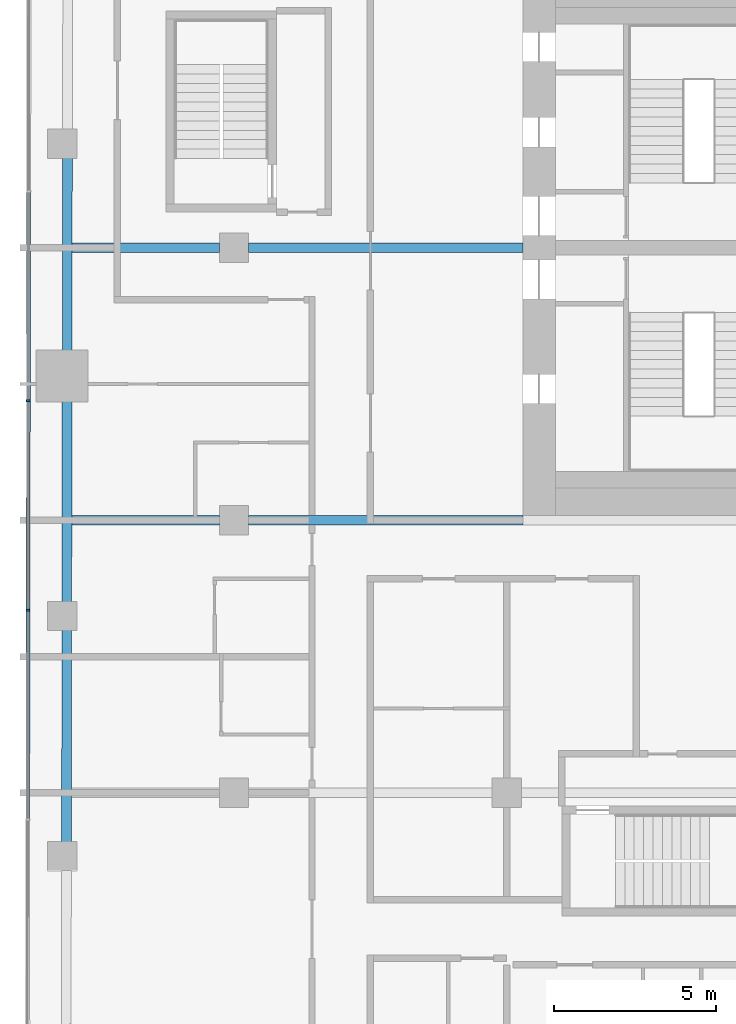
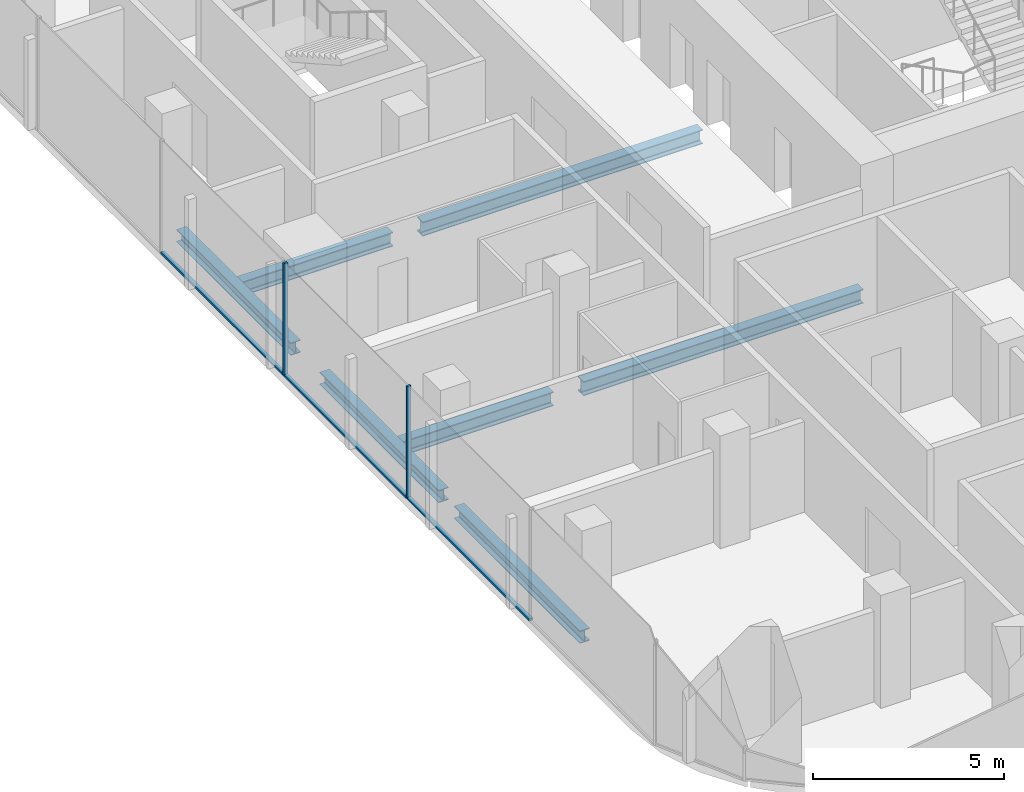
# One storey, part 4 of 23: 7 beams, 5 members, 1 element without a shape of its own.
"""IFC4 building model written with IfcOpenShell, lengths in metres."""

import ifcopenshell
import ifcopenshell.guid

model = None  # the IFC model being written
_history = None  # IfcOwnerHistory: only IFC2X3 demands one
_inside = {}  # id of a spatial element -> (the spatial element, [elements in it])
_under = {}  # id of a project, library or spatial element -> (it, [spatial elements below it])
_declared = {}  # id of a project -> (the project, [libraries it declares])
_typed = {}  # id of a type object -> (the type object, [elements of that type])
_made_of = {}  # id of a material, layer set ... -> (it, [elements and type objects made of it])


def new_model(schema):
    """Start an empty IFC model of exactly this schema.

    Asked for "IFC4X3", IfcOpenShell would pick the latest addendum, in which some entities
    have other attributes; the version numbers below select the first issue.
    IFC2X3 requires an IfcOwnerHistory on every rooted entity: one is made here for all.
    """
    global model, _history
    if schema == "IFC4X3":
        model = ifcopenshell.file(schema_version=(4, 3, 0, 0))
    else:
        model = ifcopenshell.file(schema=schema)
    _inside.clear()
    _under.clear()
    _declared.clear()
    _typed.clear()
    _made_of.clear()
    _history = None
    if model.schema == "IFC2X3":
        org = make("IfcOrganization", Name="unknown")
        user = make(
            "IfcPersonAndOrganization",
            ThePerson=make("IfcPerson", FamilyName="unknown"),
            TheOrganization=org,
        )
        app = make(
            "IfcApplication",
            ApplicationDeveloper=org,
            Version="unknown",
            ApplicationFullName="unknown",
            ApplicationIdentifier="unknown",
        )
        _history = make(
            "IfcOwnerHistory",
            OwningUser=user,
            OwningApplication=app,
            ChangeAction="ADDED",
            CreationDate=0,
        )
    return model


def make(cls, **values):
    """One entity of the class cls with the attributes given. An attribute that is None is left unset."""
    return model.create_entity(
        cls, **{name: value for name, value in values.items() if value is not None}
    )


def rooted(cls, **values):
    """An entity with a GlobalId (a new one), such as an element, a storey or a relation."""
    return make(cls, GlobalId=ifcopenshell.guid.new(), OwnerHistory=_history, **values)


def si_unit(unit_type, name, prefix=None):
    """IfcSIUnit, for example si_unit("LENGTHUNIT", "METRE", prefix="MILLI")."""
    return make("IfcSIUnit", UnitType=unit_type, Prefix=prefix, Name=name)


def assignment(units):
    """IfcUnitAssignment: the units of a project."""
    return None if units is None else make("IfcUnitAssignment", Units=units)


def point(xyz):
    """IfcCartesianPoint."""
    return None if xyz is None else make("IfcCartesianPoint", Coordinates=xyz)


def direction(xyz):
    """IfcDirection."""
    return None if xyz is None else make("IfcDirection", DirectionRatios=xyz)


def frame(location, z_axis=None, x_axis=None):
    """IfcAxis2Placement3D, a coordinate frame: its origin and axes. An axis left out is left unset."""
    return make(
        "IfcAxis2Placement3D",
        Location=point(location),
        Axis=direction(z_axis),
        RefDirection=direction(x_axis),
    )


def frame_2d(location, x_axis=None):
    """IfcAxis2Placement2D, a coordinate frame in the plane: its origin and x axis."""
    return make(
        "IfcAxis2Placement2D", Location=point(location), RefDirection=direction(x_axis)
    )


def origin():
    """The frame at (0, 0, 0) with its axes left unset."""
    return frame((0.0, 0.0, 0.0))


def origin_2d():
    """The frame at (0, 0) in the plane with its x axis left unset."""
    return frame_2d((0.0, 0.0))


def place(relative_to, where):
    """IfcLocalPlacement: puts the frame where relative to a parent placement (None: the world)."""
    return make(
        "IfcLocalPlacement", PlacementRelTo=relative_to, RelativePlacement=where
    )


def context(
    kind, dimensions, precision=None, world=None, true_north=None, identifier=None
):
    """IfcGeometricRepresentationContext, for example the 3D "Model" context."""
    return make(
        "IfcGeometricRepresentationContext",
        ContextIdentifier=identifier,
        ContextType=kind,
        CoordinateSpaceDimension=dimensions,
        Precision=precision,
        WorldCoordinateSystem=world,
        TrueNorth=true_north,
    )


def subcontext(parent, identifier, kind, view, scale=None):
    """IfcGeometricRepresentationSubContext, for example "Body" below "Model"."""
    return make(
        "IfcGeometricRepresentationSubContext",
        ContextIdentifier=identifier,
        ContextType=kind,
        ParentContext=parent,
        TargetScale=scale,
        TargetView=view,
    )


def project(units=None, contexts=None):
    """IfcProject with its units and contexts."""
    return rooted(
        "IfcProject",
        Name="project",
        RepresentationContexts=contexts,
        UnitsInContext=assignment(units),
    )


def spatial(cls, under=None, at=None, **own):
    """A site, building, storey or space (cls), placed at a placement, below another one or the project."""
    s = rooted(cls, ObjectPlacement=at, **own)
    if under is not None:
        _under.setdefault(under.id(), (under, []))[1].append(s)
    return s


def profile(cls, at=None, kind="AREA", **sizes):
    """A parametric profile (cls). Its sizes go by their IFC names, for example OverallWidth=200.0."""
    return make(cls, ProfileType=kind, Position=at, **sizes)


def rectangle(**sizes):
    """IfcRectangleProfileDef."""
    return profile("IfcRectangleProfileDef", **sizes)


def i_section(**sizes):
    """IfcIShapeProfileDef."""
    return profile("IfcIShapeProfileDef", **sizes)


def extrude(swept, where, along, depth):
    """IfcExtrudedAreaSolid: the profile swept, set in the frame where, extruded along a direction by depth."""
    return make(
        "IfcExtrudedAreaSolid",
        SweptArea=swept,
        Position=where,
        ExtrudedDirection=direction(along),
        Depth=depth,
    )


def shape(context_of_items, identifier, shape_type, items):
    """IfcShapeRepresentation: the items that make up one representation, for example the "Body"."""
    return make(
        "IfcShapeRepresentation",
        ContextOfItems=context_of_items,
        RepresentationIdentifier=identifier,
        RepresentationType=shape_type,
        Items=items,
    )


def material(Name=None, Category=None):
    """IfcMaterial."""
    return make("IfcMaterial", Name=Name, Category=Category)


def layer(
    of_material, thickness, ventilated=None, Name=None, Category=None, Priority=None
):
    """IfcMaterialLayer: one layer of a wall or slab, of a material (None: an air gap)."""
    return make(
        "IfcMaterialLayer",
        Material=of_material,
        LayerThickness=thickness,
        IsVentilated=ventilated,
        Name=Name,
        Category=Category,
        Priority=Priority,
    )


def layer_set(layers, Name=None):
    """IfcMaterialLayerSet."""
    return make("IfcMaterialLayerSet", MaterialLayers=layers, LayerSetName=Name)


def material_profile(
    of_material, cross_section, Name=None, Category=None, Priority=None
):
    """IfcMaterialProfile: a cross section and its material."""
    return make(
        "IfcMaterialProfile",
        Name=Name,
        Material=of_material,
        Profile=cross_section,
        Priority=Priority,
        Category=Category,
    )


def profile_set(profiles, Name=None, composite=None):
    """IfcMaterialProfileSet."""
    return make(
        "IfcMaterialProfileSet",
        Name=Name,
        MaterialProfiles=profiles,
        CompositeProfile=composite,
    )


def made_of(thing, what):
    """Note that an element or type object is made of a material, layer set ...; save() writes the relation."""
    if what is not None:
        _made_of.setdefault(what.id(), (what, []))[1].append(thing)
    return thing


def type_object(cls, material=None, **own):
    """A type object (cls), such as IfcWallType, which elements share."""
    return made_of(rooted(cls, **own), material)


def element(
    cls,
    number,
    at=None,
    inside=None,
    cuts=None,
    type_object=None,
    material=None,
    context=None,
    identifier="Body",
    shape_type=None,
    held_by="IfcProductDefinitionShape",
    body=None,
    shapes=None,
    **own,
):
    """One element of the class cls, such as IfcWall. Its Tag is "e" and its number.

    at: its placement. inside: the storey or other place that contains it. cuts: it is an
    opening in that element (IfcRelVoidsElement). A single representation is given by context,
    identifier, shape_type and body (its items); several are given by shapes. held_by: the class
    of the entity that holds the representations. save() writes the other relations.
    """
    e = rooted(cls, Tag="e%d" % number, ObjectPlacement=at, **own)
    if body is not None:
        shapes = [shape(context, identifier, shape_type, body)]
    if shapes is not None:
        e.Representation = make(held_by, Representations=shapes)
    if inside is not None:
        _inside.setdefault(inside.id(), (inside, []))[1].append(e)
    if cuts is not None:
        rooted(
            "IfcRelVoidsElement", RelatingBuildingElement=cuts, RelatedOpeningElement=e
        )
    if type_object is not None:
        _typed.setdefault(type_object.id(), (type_object, []))[1].append(e)
    return made_of(e, material)


def aggregate(whole, parts):
    """IfcRelAggregates: a whole, such as a stair, and the parts it consists of."""
    return rooted("IfcRelAggregates", RelatingObject=whole, RelatedObjects=parts)


def save(model, path):
    """Write the relations noted so far, then the file.

    IfcRelAggregates (storeys below a building ...), IfcRelContainedInSpatialStructure (elements
    in a storey), IfcRelDefinesByType, IfcRelAssociatesMaterial and IfcRelDeclares: one each for
    every whole, place, type object, material and project.
    """
    for whole, parts in _under.values():
        aggregate(whole, parts)
    for where, things in _inside.values():
        rooted(
            "IfcRelContainedInSpatialStructure",
            RelatedElements=things,
            RelatingStructure=where,
        )
    for kind, things in _typed.values():
        rooted("IfcRelDefinesByType", RelatedObjects=things, RelatingType=kind)
    for what, things in _made_of.values():
        rooted("IfcRelAssociatesMaterial", RelatedObjects=things, RelatingMaterial=what)
    for by, libraries in _declared.values():
        rooted("IfcRelDeclares", RelatingContext=by, RelatedDefinitions=libraries)
    model.write(path)


model = new_model("IFC4")

# Units and contexts
model_context = context("Model", 3, precision=1e-05, world=origin(), true_north=direction((0.0, 1.0)))
body_context = subcontext(model_context, "Body", "Model", "MODEL_VIEW")
ifc_project = project(units=[si_unit("LENGTHUNIT", "METRE"), si_unit("AREAUNIT", "SQUARE_METRE"), si_unit("VOLUMEUNIT", "CUBIC_METRE"), si_unit("PLANEANGLEUNIT", "RADIAN"), si_unit("MASSUNIT", "GRAM", prefix="KILO")], contexts=[model_context])

# Site, building, storey
site_placement = place(None, origin())
site = spatial("IfcSite", under=ifc_project, at=site_placement, CompositionType="ELEMENT")
building_placement = place(site_placement, origin())
building = spatial("IfcBuilding", under=site, at=building_placement, Name="Marenta Gate Hotel Tower", CompositionType="ELEMENT")
storey_placement = place(building_placement, frame((0.0, 0.0, 162.5)))
storey = spatial("IfcBuildingStorey", under=building, at=storey_placement, Name="L38", CompositionType="ELEMENT", Elevation=162.5)

# Beams
ifc_material_1 = material(Name="Steel S355", Category="steel")
ifc_material_profile_1 = material_profile(ifc_material_1, i_section(OverallWidth=0.300048828125, OverallDepth=0.39990234375, WebThickness=0.013427734375, FlangeThickness=0.02392578125, FilletRadius=0.027099609375, at=origin_2d()), Name="HEB 400")
ifc_profile_set_1 = profile_set([ifc_material_profile_1], Name="Steel S355")
beam_type_1 = type_object("IfcBeamType", Name="Edge beam HEB 400", PredefinedType="SPANDREL", material=ifc_profile_set_1)
beam_1_placement = place(storey_placement, frame((-26.167236328125, -9.94189453125, -0.4599609375), z_axis=(0.001372605919, 0.999999057976, 0.0), x_axis=(-0.999999057976, 0.001372605919, 0.0)))
element("IfcBeam", 1, at=beam_1_placement, inside=storey, type_object=beam_type_1, Name="L38-EB-6", PredefinedType="SPANDREL", context=body_context, shape_type="SweptSolid", body=[
    extrude(i_section(OverallWidth=0.300048828125, OverallDepth=0.39990234375, WebThickness=0.013427734375, FlangeThickness=0.02392578125, FilletRadius=0.027099609375, at=origin_2d()), origin(), (0.0, 0.0, 1.0), 6.5810546875),
])
beam_2_placement = place(storey_placement, frame((-26.156982421875, -2.541015625, -0.4599609375), z_axis=(0.001371364591, 0.999999059679, 0.0), x_axis=(-0.999999059679, 0.001371364591, 0.0)))
element("IfcBeam", 2, at=beam_2_placement, inside=storey, type_object=beam_type_1, Name="L38-EB-7", PredefinedType="SPANDREL", context=body_context, shape_type="SweptSolid", body=[
    extrude(i_section(OverallWidth=0.300048828125, OverallDepth=0.39990234375, WebThickness=0.013427734375, FlangeThickness=0.02392578125, FilletRadius=0.027099609375, at=origin_2d()), origin(), (0.0, 0.0, 1.0), 6.23095703125),
])
beam_3_placement = place(storey_placement, frame((-26.146484375, 5.2099609375, -0.4599609375), z_axis=(0.001387357379, 0.999999037619, 0.0), x_axis=(-0.999999037619, 0.001387357379, 0.0)))
element("IfcBeam", 3, at=beam_3_placement, inside=storey, type_object=beam_type_1, Name="L38-EB-8", PredefinedType="SPANDREL", context=body_context, shape_type="SweptSolid", body=[
    extrude(i_section(OverallWidth=0.300048828125, OverallDepth=0.39990234375, WebThickness=0.013427734375, FlangeThickness=0.02392578125, FilletRadius=0.027099609375, at=origin_2d()), origin(), (0.0, 0.0, 1.0), 5.983154296875),
])
ifc_material_2 = material(Name="Steel S355", Category="steel")
ifc_material_profile_2 = material_profile(ifc_material_2, i_section(OverallWidth=0.300048828125, OverallDepth=0.449951171875, WebThickness=0.013916015625, FlangeThickness=0.02587890625, FilletRadius=0.027099609375, at=origin_2d()), Name="HEB 450")
ifc_profile_set_2 = profile_set([ifc_material_profile_2], Name="Steel S355")
beam_type_2 = type_object("IfcBeamType", Name="Girder HEB 450", PredefinedType="BEAM", material=ifc_profile_set_2)
beam_4_placement = place(storey_placement, frame((-26.003662109375, 0.0, -0.485107421875), z_axis=(1.0, 0.0, 0.0), x_axis=(0.0, 1.0, 0.0)))
element("IfcBeam", 4, at=beam_4_placement, inside=storey, type_object=beam_type_2, Name="L38-GD-15", PredefinedType="BEAM", context=body_context, shape_type="SweptSolid", body=[
    extrude(i_section(OverallWidth=0.300048828125, OverallDepth=0.449951171875, WebThickness=0.013916015625, FlangeThickness=0.02587890625, FilletRadius=0.027099609375, at=origin_2d()), origin(), (0.0, 0.0, 1.0), 4.5537109375),
])
beam_5_placement = place(storey_placement, frame((-20.550048828125, 0.0, -0.485107421875), z_axis=(1.0, 0.0, 0.0), x_axis=(0.0, 1.0, 0.0)))
element("IfcBeam", 5, at=beam_5_placement, inside=storey, type_object=beam_type_2, Name="L38-GD-16", PredefinedType="BEAM", context=body_context, shape_type="SweptSolid", body=[
    extrude(i_section(OverallWidth=0.300048828125, OverallDepth=0.449951171875, WebThickness=0.013916015625, FlangeThickness=0.02587890625, FilletRadius=0.027099609375, at=origin_2d()), origin(), (0.0, 0.0, 1.0), 8.449951171875),
])
beam_6_placement = place(storey_placement, frame((-25.991943359375, 8.39990234375, -0.485107421875), z_axis=(1.0, 0.0, 0.0), x_axis=(0.0, 1.0, 0.0)))
element("IfcBeam", 6, at=beam_6_placement, inside=storey, type_object=beam_type_2, Name="L38-GD-20", PredefinedType="BEAM", context=body_context, shape_type="SweptSolid", body=[
    extrude(i_section(OverallWidth=0.300048828125, OverallDepth=0.449951171875, WebThickness=0.013916015625, FlangeThickness=0.02587890625, FilletRadius=0.027099609375, at=origin_2d()), origin(), (0.0, 0.0, 1.0), 4.5419921875),
])
beam_7_placement = place(storey_placement, frame((-20.550048828125, 8.39990234375, -0.485107421875), z_axis=(1.0, 0.0, 0.0), x_axis=(0.0, 1.0, 0.0)))
element("IfcBeam", 7, at=beam_7_placement, inside=storey, type_object=beam_type_2, Name="L38-GD-21", PredefinedType="BEAM", context=body_context, shape_type="SweptSolid", body=[
    extrude(i_section(OverallWidth=0.300048828125, OverallDepth=0.449951171875, WebThickness=0.013916015625, FlangeThickness=0.02587890625, FilletRadius=0.027099609375, at=origin_2d()), origin(), (0.0, 0.0, 1.0), 8.449951171875),
])

# Curtain wall, members
ifc_material_3 = material(Name="Tinted insulated glass in bronze anodised frame", Category="glass")
ifc_layer = layer(ifc_material_3, 0.1201171875)
ifc_layer_set = layer_set([ifc_layer], Name="Tinted insulated glass in bronze anodised frame")
curtain_wall_type = type_object("IfcCurtainWallType", Name="Tower unitised curtain wall CW1", PredefinedType="NOTDEFINED", material=ifc_layer_set)
curtain_wall_placement = place(storey_placement, origin())
curtain_wall = element("IfcCurtainWall", 8, at=curtain_wall_placement, inside=storey, type_object=curtain_wall_type, Name="CW1 run G03", PredefinedType="NOTDEFINED")
ifc_material_4 = material(Name="Bronze anodised aluminium", Category="aluminium")
ifc_material_profile_3 = material_profile(ifc_material_4, rectangle(XDim=0.1201171875, YDim=0.06005859375, at=origin_2d()), Name="Mullion CW1 60x120 bronze anodised aluminium")
ifc_profile_set_3 = profile_set([ifc_material_profile_3], Name="Bronze anodised aluminium")
member_type_1 = type_object("IfcMemberType", Name="Mullion CW1 60x120 bronze anodised aluminium", PredefinedType="MULLION", material=ifc_profile_set_3)
member_1_placement = place(storey_placement, frame((-27.342529296875, 3.686279296875, 0.0), z_axis=(0.0, 0.0, 1.0), x_axis=(0.99999877375, -0.001566045546, 0.0)))
member_1 = element("IfcMember", 9, at=member_1_placement, type_object=member_type_1, Name="CW1 mullion 4", PredefinedType="MULLION", context=body_context, shape_type="SweptSolid", body=[
    extrude(rectangle(XDim=0.1201171875, YDim=0.06005859375, at=origin_2d()), origin(), (0.0, 0.0, 1.0), 3.60009765625),
])
member_2_placement = place(storey_placement, frame((-27.352783203125, -2.773681640625, 0.0), z_axis=(0.0, 0.0, 1.0), x_axis=(0.99999877375, -0.001566045546, 0.0)))
member_2 = element("IfcMember", 10, at=member_2_placement, type_object=member_type_1, Name="CW1 mullion 5", PredefinedType="MULLION", context=body_context, shape_type="SweptSolid", body=[
    extrude(rectangle(XDim=0.1201171875, YDim=0.06005859375, at=origin_2d()), origin(), (0.0, 0.0, 1.0), 3.60009765625),
])
ifc_material_5 = material(Name="Bronze anodised aluminium", Category="aluminium")
ifc_material_profile_4 = material_profile(ifc_material_5, rectangle(XDim=0.1201171875, YDim=0.06005859375, at=origin_2d()), Name="Transom CW1 60x120 bronze anodised aluminium")
ifc_profile_set_4 = profile_set([ifc_material_profile_4], Name="Bronze anodised aluminium")
member_type_2 = type_object("IfcMemberType", Name="Transom CW1 60x120 bronze anodised aluminium", PredefinedType="USERDEFINED", material=ifc_profile_set_4)
member_3_placement = place(storey_placement, frame((-27.33251953125, 10.1162109375, 0.030029296875), z_axis=(-0.001564047831, -0.999998776876, 0.0), x_axis=(0.999998776876, -0.001564047831, 0.0)))
member_3 = element("IfcMember", 11, at=member_3_placement, type_object=member_type_2, Name="CW1 transom 3.1", ObjectType="TRANSOM", PredefinedType="USERDEFINED", context=body_context, shape_type="SweptSolid", body=[
    extrude(rectangle(XDim=0.1201171875, YDim=0.06005859375, at=origin_2d()), origin(), (0.0, 0.0, 1.0), 6.39990234375),
])
member_4_placement = place(storey_placement, frame((-27.3427734375, 3.65625, 0.030029296875), z_axis=(-0.001563988169, -0.99999877697, 0.0), x_axis=(0.99999877697, -0.001563988169, 0.0)))
member_4 = element("IfcMember", 12, at=member_4_placement, type_object=member_type_2, Name="CW1 transom 4.1", ObjectType="TRANSOM", PredefinedType="USERDEFINED", context=body_context, shape_type="SweptSolid", body=[
    extrude(rectangle(XDim=0.1201171875, YDim=0.06005859375, at=origin_2d()), origin(), (0.0, 0.0, 1.0), 6.400146484375),
])
member_5_placement = place(storey_placement, frame((-27.352783203125, -2.8037109375, 0.030029296875), z_axis=(-0.001563988169, -0.99999877697, 0.0), x_axis=(0.99999877697, -0.001563988169, 0.0)))
member_5 = element("IfcMember", 13, at=member_5_placement, type_object=member_type_2, Name="CW1 transom 5.1", ObjectType="TRANSOM", PredefinedType="USERDEFINED", context=body_context, shape_type="SweptSolid", body=[
    extrude(rectangle(XDim=0.1201171875, YDim=0.06005859375, at=origin_2d()), origin(), (0.0, 0.0, 1.0), 6.400146484375),
])
aggregate(curtain_wall, [member_1, member_2, member_3, member_4, member_5])

save(model, "model.ifc")
